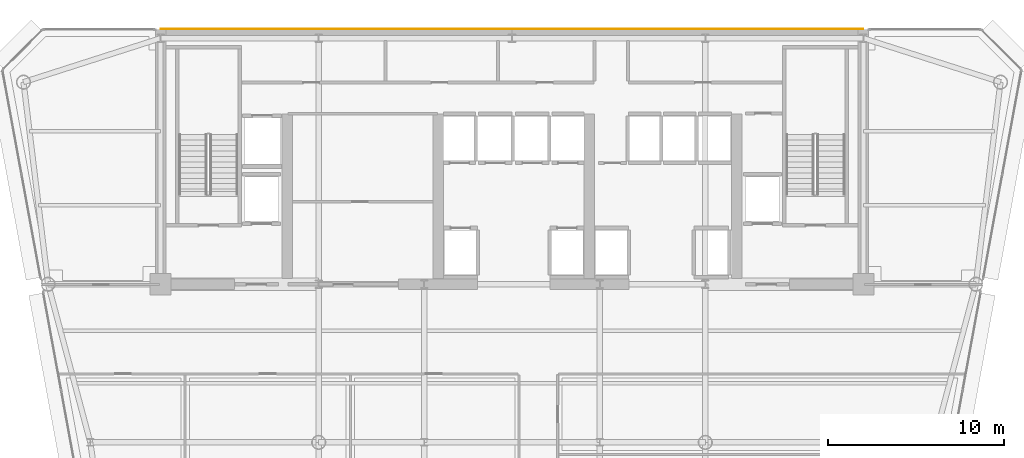
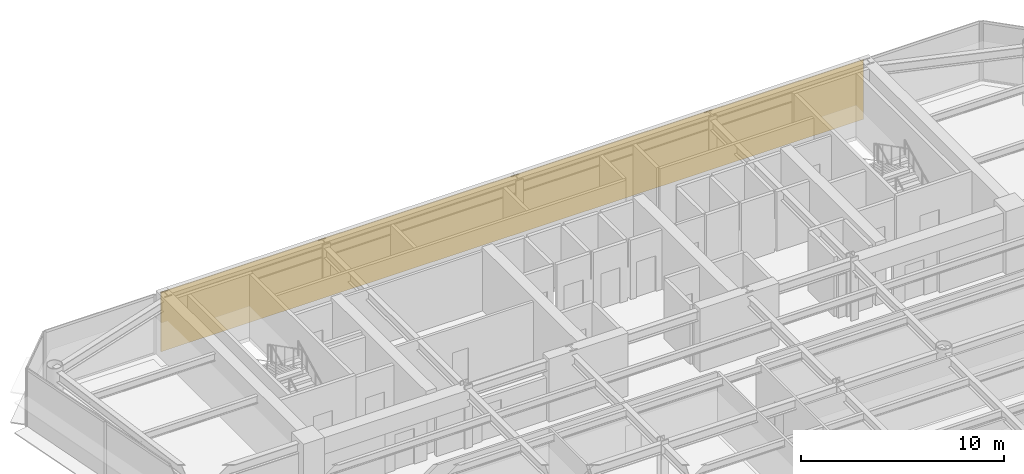
# One storey, part 16 of 17: 1 covering.
"""IFC4 building model written with IfcOpenShell, lengths in metres."""

from ifc_helpers import new_model, si_unit, direction, frame, origin, place, context, subcontext, project, spatial, polyline, outline, extrude, material, layer, layer_set, type_object, element, save


model = new_model("IFC4")

# Units and contexts
model_context = context("Model", 3, precision=1e-05, world=origin(), true_north=direction((0.0, 1.0)))
body_context = subcontext(model_context, "Body", "Model", "MODEL_VIEW")
ifc_project = project(units=[si_unit("LENGTHUNIT", "METRE"), si_unit("AREAUNIT", "SQUARE_METRE"), si_unit("VOLUMEUNIT", "CUBIC_METRE"), si_unit("PLANEANGLEUNIT", "RADIAN"), si_unit("MASSUNIT", "GRAM", prefix="KILO")], contexts=[model_context])

# Site, building, storey
site_placement = place(None, origin())
site = spatial("IfcSite", under=ifc_project, at=site_placement, CompositionType="ELEMENT")
building_placement = place(site_placement, origin())
building = spatial("IfcBuilding", under=site, at=building_placement, Name="Vaeldorn Concourse Tower", CompositionType="ELEMENT")
storey_placement = place(building_placement, frame((0.0, 0.0, 180.39990234375)))
storey = spatial("IfcBuildingStorey", under=building, at=storey_placement, Name="L46", CompositionType="ELEMENT", Elevation=180.39990234375)

# Covering
ifc_material = material(Name="Anodised Bronze Aluminium", Category="aluminium")
ifc_layer = layer(ifc_material, 0.050048828125)
ifc_layer_set = layer_set([ifc_layer], Name="Anodised Bronze Aluminium")
covering_type = type_object("IfcCoveringType", Name="COV-CLAD-BRONZE", PredefinedType="CLADDING", material=ifc_layer_set)
covering_placement = place(storey_placement, origin())
element("IfcCovering", 1, at=covering_placement, inside=storey, type_object=covering_type, Name="Rear Core Bronze Spandrel Cladding L46", PredefinedType="CLADDING", context=body_context, shape_type="SweptSolid", body=[
    extrude(outline(polyline([(14.0, 51.0), (54.0, 51.0), (54.0, 51.050048828125), (14.0, 51.050048828125), (14.0, 51.0)])), origin(), (0.0, 0.0, 1.0), 3.580078125),
])

save(model, "model.ifc")
